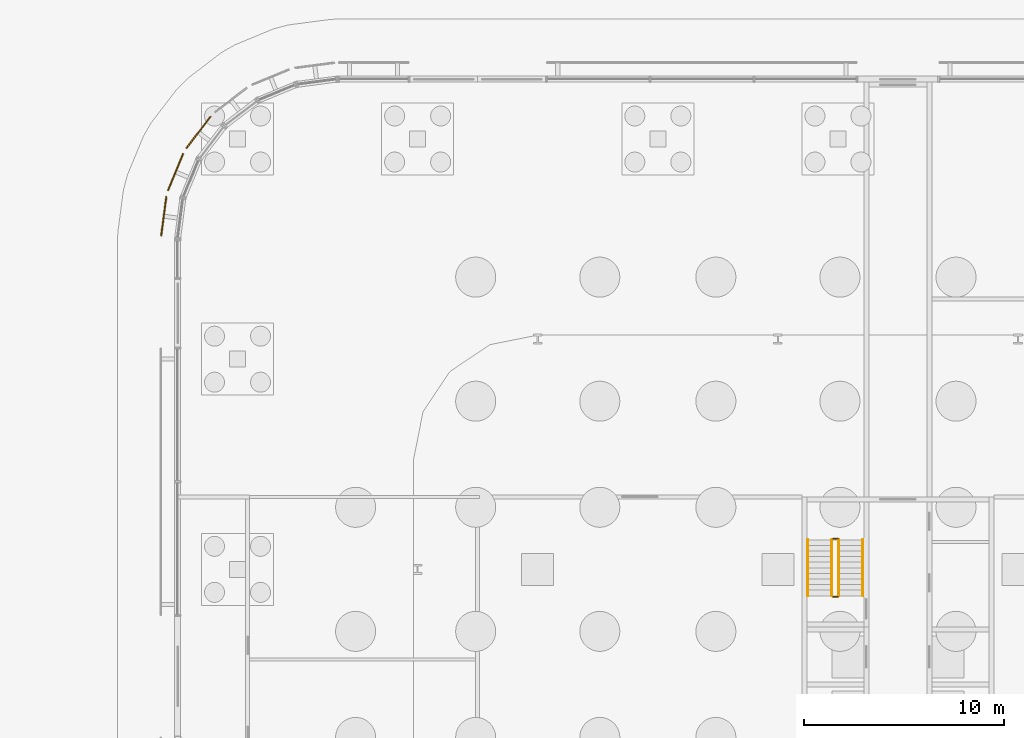
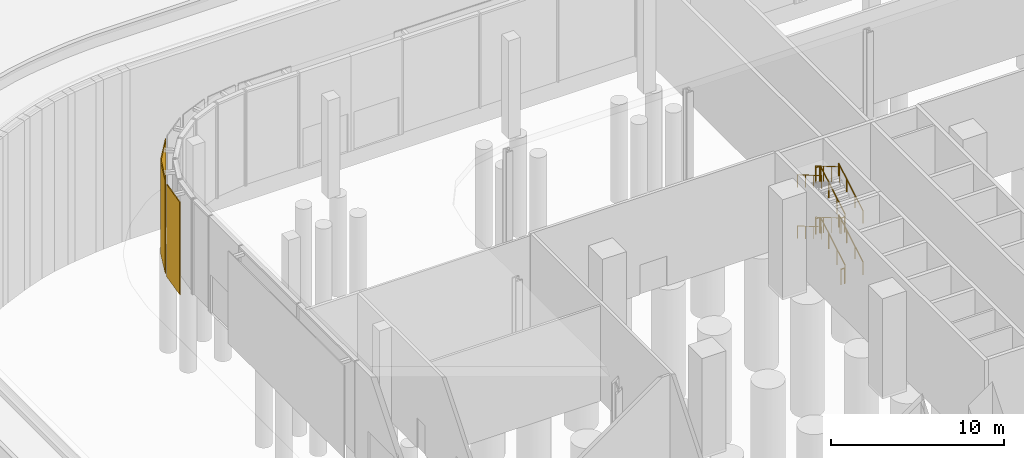
# One storey, part 39 of 48: 12 railings, 3 coverings.
"""IFC4 building model written with IfcOpenShell, lengths in metres."""

from ifc_helpers import new_model, si_unit, direction, frame, origin, origin_2d, place, context, subcontext, project, spatial, rectangle, circle, extrude, material, layer, layer_set, type_object, element, save


model = new_model("IFC4")

# Units and contexts
model_context = context("Model", 3, precision=1e-05, world=origin(), true_north=direction((0.0, 1.0)))
body_context = subcontext(model_context, "Body", "Model", "MODEL_VIEW")
ifc_project = project(units=[si_unit("LENGTHUNIT", "METRE"), si_unit("AREAUNIT", "SQUARE_METRE"), si_unit("VOLUMEUNIT", "CUBIC_METRE"), si_unit("PLANEANGLEUNIT", "RADIAN"), si_unit("MASSUNIT", "GRAM", prefix="KILO")], contexts=[model_context])

# Site, building, storey
site_placement = place(None, origin())
site = spatial("IfcSite", under=ifc_project, at=site_placement, CompositionType="ELEMENT")
building_placement = place(site_placement, origin())
building = spatial("IfcBuilding", under=site, at=building_placement, Name="Mahtab Terrace Research Tower", CompositionType="ELEMENT")
storey_placement = place(building_placement, origin())
storey = spatial("IfcBuildingStorey", under=building, at=storey_placement, Name="G", CompositionType="ELEMENT", Elevation=0.0)

# Coverings
ifc_material_1 = material(Name="Bronze anodised aluminium", Category="aluminium")
ifc_layer = layer(ifc_material_1, 0.06005859375)
ifc_layer_set = layer_set([ifc_layer], Name="Ground facade girih screen panel")
covering_type = type_object("IfcCoveringType", Name="Ground facade girih screen panel", PredefinedType="CLADDING", material=ifc_layer_set)
covering_1_placement = place(storey_placement, frame((-58.951171875, 33.333740234375, 0.10009765625), z_axis=(0.0, 0.0, 1.0), x_axis=(-0.60862253119, -0.793459901021, 0.0)))
element("IfcCovering", 1, at=covering_1_placement, inside=storey, type_object=covering_type, Name="Girih screen ground W1", PredefinedType="CLADDING", context=body_context, shape_type="SweptSolid", body=[
    extrude(rectangle(XDim=1.98828125, YDim=0.06005859375, at=origin_2d()), origin(), (0.0, 0.0, 1.0), 6.5),
])
covering_2_placement = place(storey_placement, frame((-60.09423828125, 31.35302734375, 0.10009765625), z_axis=(0.0, 0.0, 1.0), x_axis=(-0.382676089485, -0.923882573998, 0.0)))
element("IfcCovering", 2, at=covering_2_placement, inside=storey, type_object=covering_type, Name="Girih screen ground W1", PredefinedType="CLADDING", context=body_context, shape_type="SweptSolid", body=[
    extrude(rectangle(XDim=1.988037109375, YDim=0.06005859375, at=origin_2d()), origin(), (0.0, 0.0, 1.0), 6.5),
])
covering_3_placement = place(storey_placement, frame((-60.686279296875, 29.14404296875, 0.10009765625), z_axis=(0.0, 0.0, 1.0), x_axis=(-0.130689793992, -0.991423309059, 0.0)))
element("IfcCovering", 3, at=covering_3_placement, inside=storey, type_object=covering_type, Name="Girih screen ground W1", PredefinedType="CLADDING", context=body_context, shape_type="SweptSolid", body=[
    extrude(rectangle(XDim=1.989013671875, YDim=0.06005859375, at=origin_2d()), origin(), (0.0, 0.0, 1.0), 6.5),
])

# Railings
ifc_material_2 = material(Name="Stainless steel AISI 304", Category="steel")
railing_type_1 = type_object("IfcRailingType", Name="Stair guard 1100", PredefinedType="GUARDRAIL", material=ifc_material_2)
railing_1_placement = place(storey_placement, frame((-26.949951171875, 10.175048828125, 0.16357421875)))
element("IfcRailing", 4, at=railing_1_placement, inside=storey, type_object=railing_type_1, Name="G ST1 stair guard 1", PredefinedType="GUARDRAIL", context=body_context, shape_type="SweptSolid", body=[
    extrude(circle(Radius=0.02392578125, at=origin_2d()), frame((0.0, 0.0, 1.076171875), z_axis=(0.0, 0.863360870873, 0.504586966384), x_axis=(-1.0, 0.0, 0.0)), (0.0, 0.0, 1.0), 3.2431640625),
    extrude(circle(Radius=0.02099609375, at=origin_2d()), origin(), (0.0, 0.0, 1.0), 1.052001953125),
    extrude(circle(Radius=0.02099609375, at=origin_2d()), frame((0.0, 0.933349609375, 0.54541015625)), (0.0, 0.0, 1.0), 1.052001953125),
    extrude(circle(Radius=0.02099609375, at=origin_2d()), frame((0.0, 1.86669921875, 1.091064453125)), (0.0, 0.0, 1.0), 1.052001953125),
    extrude(circle(Radius=0.02099609375, at=origin_2d()), frame((0.0, 2.800048828125, 1.636474609375)), (0.0, 0.0, 1.0), 1.052001953125),
])
railing_2_placement = place(storey_placement, frame((-27.0, 13.02490234375, 1.800048828125)))
element("IfcRailing", 5, at=railing_2_placement, inside=storey, type_object=railing_type_1, Name="G ST1 stair guard 2", PredefinedType="GUARDRAIL", context=body_context, shape_type="SweptSolid", body=[
    extrude(circle(Radius=0.02392578125, at=origin_2d()), frame((0.0, 0.0, 1.076171875), z_axis=(-1.0, 0.0, 0.0), x_axis=(0.0, -1.0, 0.0)), (0.0, 0.0, 1.0), 0.25),
    extrude(circle(Radius=0.02099609375, at=origin_2d()), origin(), (0.0, 0.0, 1.0), 1.052001953125),
    extrude(circle(Radius=0.02099609375, at=origin_2d()), frame((-0.25, 0.0, 0.0)), (0.0, 0.0, 1.0), 1.052001953125),
])
railing_3_placement = place(storey_placement, frame((-27.300048828125, 12.97509765625, 1.963623046875)))
element("IfcRailing", 6, at=railing_3_placement, inside=storey, type_object=railing_type_1, Name="G ST1 stair guard 3", PredefinedType="GUARDRAIL", context=body_context, shape_type="SweptSolid", body=[
    extrude(circle(Radius=0.02392578125, at=origin_2d()), frame((0.0, 0.0, 1.076171875), z_axis=(0.0, -0.863360870873, 0.504586966384), x_axis=(1.0, 0.0, 0.0)), (0.0, 0.0, 1.0), 3.2431640625),
    extrude(circle(Radius=0.02099609375, at=origin_2d()), origin(), (0.0, 0.0, 1.0), 1.052001953125),
    extrude(circle(Radius=0.02099609375, at=origin_2d()), frame((0.0, -0.933349609375, 0.54541015625)), (0.0, 0.0, 1.0), 1.052001953125),
    extrude(circle(Radius=0.02099609375, at=origin_2d()), frame((0.0, -1.86669921875, 1.091064453125)), (0.0, 0.0, 1.0), 1.052001953125),
    extrude(circle(Radius=0.02099609375, at=origin_2d()), frame((0.0, -2.800048828125, 1.636474609375)), (0.0, 0.0, 1.0), 1.052001953125),
])
railing_4_placement = place(storey_placement, frame((-27.0, 10.125, 3.60009765625)))
element("IfcRailing", 7, at=railing_4_placement, inside=storey, type_object=railing_type_1, Name="G ST1 stair guard 4", PredefinedType="GUARDRAIL", context=body_context, shape_type="SweptSolid", body=[
    extrude(circle(Radius=0.02392578125, at=origin_2d()), frame((0.0, 0.0, 1.076171875), z_axis=(-1.0, 0.0, 0.0), x_axis=(0.0, -1.0, 0.0)), (0.0, 0.0, 1.0), 0.25),
    extrude(circle(Radius=0.02099609375, at=origin_2d()), origin(), (0.0, 0.0, 1.0), 1.052001953125),
    extrude(circle(Radius=0.02099609375, at=origin_2d()), frame((-0.25, 0.0, 0.0)), (0.0, 0.0, 1.0), 1.052001953125),
])
railing_5_placement = place(storey_placement, frame((-26.949951171875, 10.175048828125, 3.763671875)))
element("IfcRailing", 8, at=railing_5_placement, inside=storey, type_object=railing_type_1, Name="G ST1 stair guard 5", PredefinedType="GUARDRAIL", context=body_context, shape_type="SweptSolid", body=[
    extrude(circle(Radius=0.02392578125, at=origin_2d()), frame((0.0, 0.0, 1.076171875), z_axis=(0.0, 0.863393664356, 0.504530851732), x_axis=(-1.0, 0.0, 0.0)), (0.0, 0.0, 1.0), 3.2431640625),
    extrude(circle(Radius=0.02099609375, at=origin_2d()), origin(), (0.0, 0.0, 1.0), 1.052001953125),
    extrude(circle(Radius=0.02099609375, at=origin_2d()), frame((0.0, 0.933349609375, 0.54541015625)), (0.0, 0.0, 1.0), 1.052001953125),
    extrude(circle(Radius=0.02099609375, at=origin_2d()), frame((0.0, 1.86669921875, 1.0908203125)), (0.0, 0.0, 1.0), 1.052001953125),
    extrude(circle(Radius=0.02099609375, at=origin_2d()), frame((0.0, 2.800048828125, 1.63623046875)), (0.0, 0.0, 1.0), 1.052001953125),
])
railing_6_placement = place(storey_placement, frame((-27.0, 13.02490234375, 5.39990234375)))
element("IfcRailing", 9, at=railing_6_placement, inside=storey, type_object=railing_type_1, Name="G ST1 stair guard 6", PredefinedType="GUARDRAIL", context=body_context, shape_type="SweptSolid", body=[
    extrude(circle(Radius=0.02392578125, at=origin_2d()), frame((0.0, 0.0, 1.076171875), z_axis=(-1.0, 0.0, 0.0), x_axis=(0.0, -1.0, 0.0)), (0.0, 0.0, 1.0), 0.25),
    extrude(circle(Radius=0.02099609375, at=origin_2d()), origin(), (0.0, 0.0, 1.0), 1.052001953125),
    extrude(circle(Radius=0.02099609375, at=origin_2d()), frame((-0.25, 0.0, 0.0)), (0.0, 0.0, 1.0), 1.052001953125),
])
railing_7_placement = place(storey_placement, frame((-27.300048828125, 12.97509765625, 5.563720703125)))
element("IfcRailing", 10, at=railing_7_placement, inside=storey, type_object=railing_type_1, Name="G ST1 stair guard 7", PredefinedType="GUARDRAIL", context=body_context, shape_type="SweptSolid", body=[
    extrude(circle(Radius=0.02392578125, at=origin_2d()), frame((0.0, 0.0, 1.076171875), z_axis=(0.0, -0.863393664356, 0.504530851732), x_axis=(1.0, 0.0, 0.0)), (0.0, 0.0, 1.0), 3.2431640625),
    extrude(circle(Radius=0.02099609375, at=origin_2d()), origin(), (0.0, 0.0, 1.0), 1.052001953125),
    extrude(circle(Radius=0.02099609375, at=origin_2d()), frame((0.0, -0.933349609375, 0.54541015625)), (0.0, 0.0, 1.0), 1.052001953125),
    extrude(circle(Radius=0.02099609375, at=origin_2d()), frame((0.0, -1.86669921875, 1.0908203125)), (0.0, 0.0, 1.0), 1.052001953125),
    extrude(circle(Radius=0.02099609375, at=origin_2d()), frame((0.0, -2.800048828125, 1.63623046875)), (0.0, 0.0, 1.0), 1.052001953125),
])
railing_8_placement = place(storey_placement, frame((-27.0, 10.125, 0.0)))
element("IfcRailing", 11, at=railing_8_placement, inside=storey, type_object=railing_type_1, Name="G ST1 stair guard 8", PredefinedType="GUARDRAIL", context=body_context, shape_type="SweptSolid", body=[
    extrude(circle(Radius=0.02392578125, at=origin_2d()), frame((0.0, 0.0, 1.076171875), z_axis=(-1.0, 0.0, 0.0), x_axis=(0.0, -1.0, 0.0)), (0.0, 0.0, 1.0), 0.25),
    extrude(circle(Radius=0.02099609375, at=origin_2d()), origin(), (0.0, 0.0, 1.0), 1.052001953125),
    extrude(circle(Radius=0.02099609375, at=origin_2d()), frame((-0.25, 0.0, 0.0)), (0.0, 0.0, 1.0), 1.052001953125),
])
railing_type_2 = type_object("IfcRailingType", Name="Stair handrail 900", PredefinedType="HANDRAIL", material=ifc_material_2)
railing_9_placement = place(storey_placement, frame((-25.75, 10.175048828125, 0.16357421875)))
element("IfcRailing", 12, at=railing_9_placement, inside=storey, type_object=railing_type_2, Name="G ST1 stair handrail 1", PredefinedType="HANDRAIL", context=body_context, shape_type="SweptSolid", body=[
    extrude(circle(Radius=0.02392578125, at=origin_2d()), frame((0.0, 0.0, 0.8759765625), z_axis=(0.0, 0.863360870873, 0.504586966384), x_axis=(-1.0, 0.0, 0.0)), (0.0, 0.0, 1.0), 3.2431640625),
    extrude(circle(Radius=0.02099609375, at=origin_2d()), origin(), (0.0, 0.0, 1.0), 0.851806640625),
    extrude(circle(Radius=0.02099609375, at=origin_2d()), frame((0.0, 0.933349609375, 0.54541015625)), (0.0, 0.0, 1.0), 0.851806640625),
    extrude(circle(Radius=0.02099609375, at=origin_2d()), frame((0.0, 1.86669921875, 1.091064453125)), (0.0, 0.0, 1.0), 0.851806640625),
    extrude(circle(Radius=0.02099609375, at=origin_2d()), frame((0.0, 2.800048828125, 1.636474609375)), (0.0, 0.0, 1.0), 0.851806640625),
])
railing_10_placement = place(storey_placement, frame((-28.5, 12.97509765625, 1.963623046875)))
element("IfcRailing", 13, at=railing_10_placement, inside=storey, type_object=railing_type_2, Name="G ST1 stair handrail 2", PredefinedType="HANDRAIL", context=body_context, shape_type="SweptSolid", body=[
    extrude(circle(Radius=0.02392578125, at=origin_2d()), frame((0.0, 0.0, 0.8759765625), z_axis=(0.0, -0.863360870873, 0.504586966384), x_axis=(1.0, 0.0, 0.0)), (0.0, 0.0, 1.0), 3.2431640625),
    extrude(circle(Radius=0.02099609375, at=origin_2d()), origin(), (0.0, 0.0, 1.0), 0.851806640625),
    extrude(circle(Radius=0.02099609375, at=origin_2d()), frame((0.0, -0.933349609375, 0.54541015625)), (0.0, 0.0, 1.0), 0.851806640625),
    extrude(circle(Radius=0.02099609375, at=origin_2d()), frame((0.0, -1.86669921875, 1.091064453125)), (0.0, 0.0, 1.0), 0.851806640625),
    extrude(circle(Radius=0.02099609375, at=origin_2d()), frame((0.0, -2.800048828125, 1.636474609375)), (0.0, 0.0, 1.0), 0.851806640625),
])
railing_11_placement = place(storey_placement, frame((-25.75, 10.175048828125, 3.763671875)))
element("IfcRailing", 14, at=railing_11_placement, inside=storey, type_object=railing_type_2, Name="G ST1 stair handrail 3", PredefinedType="HANDRAIL", context=body_context, shape_type="SweptSolid", body=[
    extrude(circle(Radius=0.02392578125, at=origin_2d()), frame((0.0, 0.0, 0.8759765625), z_axis=(0.0, 0.863393664356, 0.504530851732), x_axis=(-1.0, 0.0, 0.0)), (0.0, 0.0, 1.0), 3.2431640625),
    extrude(circle(Radius=0.02099609375, at=origin_2d()), origin(), (0.0, 0.0, 1.0), 0.851806640625),
    extrude(circle(Radius=0.02099609375, at=origin_2d()), frame((0.0, 0.933349609375, 0.54541015625)), (0.0, 0.0, 1.0), 0.851806640625),
    extrude(circle(Radius=0.02099609375, at=origin_2d()), frame((0.0, 1.86669921875, 1.0908203125)), (0.0, 0.0, 1.0), 0.851806640625),
    extrude(circle(Radius=0.02099609375, at=origin_2d()), frame((0.0, 2.800048828125, 1.63623046875)), (0.0, 0.0, 1.0), 0.851806640625),
])
railing_12_placement = place(storey_placement, frame((-28.5, 12.97509765625, 5.563720703125)))
element("IfcRailing", 15, at=railing_12_placement, inside=storey, type_object=railing_type_2, Name="G ST1 stair handrail 4", PredefinedType="HANDRAIL", context=body_context, shape_type="SweptSolid", body=[
    extrude(circle(Radius=0.02392578125, at=origin_2d()), frame((0.0, 0.0, 0.8759765625), z_axis=(0.0, -0.863393664356, 0.504530851732), x_axis=(1.0, 0.0, 0.0)), (0.0, 0.0, 1.0), 3.2431640625),
    extrude(circle(Radius=0.02099609375, at=origin_2d()), origin(), (0.0, 0.0, 1.0), 0.851806640625),
    extrude(circle(Radius=0.02099609375, at=origin_2d()), frame((0.0, -0.933349609375, 0.54541015625)), (0.0, 0.0, 1.0), 0.851806640625),
    extrude(circle(Radius=0.02099609375, at=origin_2d()), frame((0.0, -1.86669921875, 1.0908203125)), (0.0, 0.0, 1.0), 0.851806640625),
    extrude(circle(Radius=0.02099609375, at=origin_2d()), frame((0.0, -2.800048828125, 1.63623046875)), (0.0, 0.0, 1.0), 0.851806640625),
])

save(model, "model.ifc")
